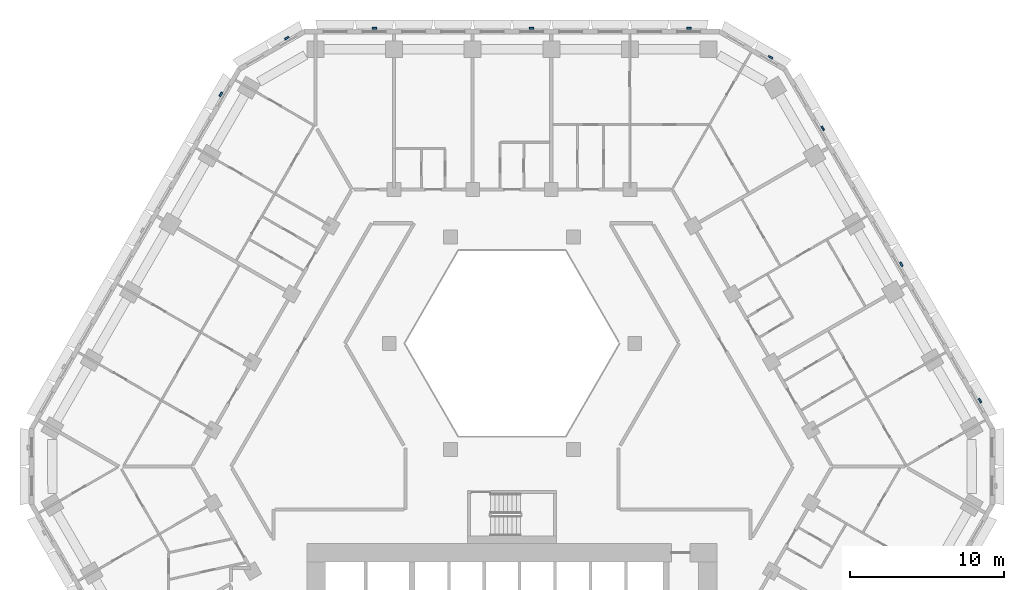
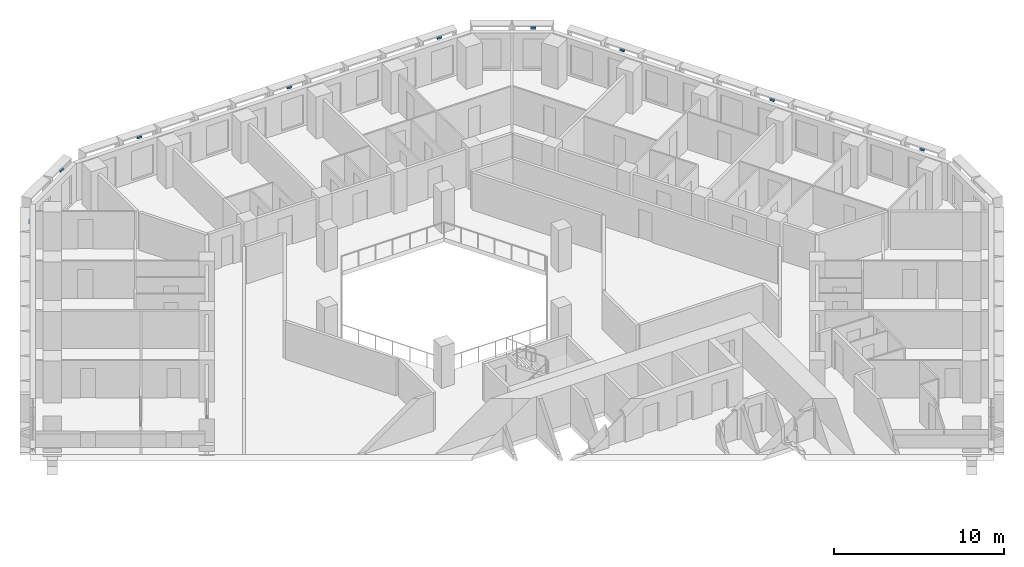
# One storey, part 15 of 21: 9 discrete accessories.
"""IFC4 building model written with IfcOpenShell, lengths in metres."""

from ifc_helpers import new_model, si_unit, direction, frame, origin, place, context, subcontext, project, spatial, polyline, outline, extrude, source, transform, mapped, material, type_object, type_shapes, element, save


model = new_model("IFC4")

# Units and contexts
model_context = context("Model", 3, precision=1e-05, world=origin(), true_north=direction((0.0, 1.0)))
body_context = subcontext(model_context, "Body", "Model", "MODEL_VIEW")
ifc_project = project(units=[si_unit("LENGTHUNIT", "METRE"), si_unit("AREAUNIT", "SQUARE_METRE"), si_unit("VOLUMEUNIT", "CUBIC_METRE"), si_unit("PLANEANGLEUNIT", "RADIAN"), si_unit("MASSUNIT", "GRAM", prefix="KILO")], contexts=[model_context])

# Site, building, storey
site_placement = place(None, origin())
site = spatial("IfcSite", under=ifc_project, at=site_placement, CompositionType="ELEMENT")
building_placement = place(site_placement, origin())
building = spatial("IfcBuilding", under=site, at=building_placement, Name="Beryl Residences", CompositionType="ELEMENT")
storey_placement = place(building_placement, frame((0.0, 0.0, 29.39990234375)))
storey = spatial("IfcBuildingStorey", under=building, at=storey_placement, Name="L08", CompositionType="ELEMENT", Elevation=29.39990234375)

# Discrete accessories
ifc_material = material(Name="Steel S355", Category="steel")
discrete_accessory_type = type_object("IfcDiscreteAccessoryType", Name="BR1 frame bracket 300 x 120 x 150 mm", PredefinedType="BRACKET", material=ifc_material)
shared_shape = source(origin(), body_context, "Body", "SweptSolid", [
    extrude(outline(polyline([(-0.14990234375, 0.0), (0.14990234375, 0.0), (0.14990234375, 0.1201171875), (-0.14990234375, 0.1201171875), (-0.14990234375, 0.0)])), origin(), (0.0, 0.0, 1.0), 0.14990234375),
])
type_shapes(discrete_accessory_type, [shared_shape])
for number, where, z_axis, x_axis, name in (
    (1, (11.48291015625, 28.39990234375, 2.75), (0.0, 0.0, 1.0), (1.0, 0.0, 0.0), "BR1 bracket L08 N 1"),
    (2, (1.27490234375, 28.39990234375, 2.75), (0.0, 0.0, 1.0), (1.0, 0.0, 0.0), "BR1 bracket L08 N 5"),
    (3, (-8.93310546875, 28.39990234375, 2.75), (0.0, 0.0, 1.0), (1.0, 0.0, 0.0), "BR1 bracket L08 N 9"),
    (4, (-14.593017578125, 27.77490234375, 2.75), (0.0, 0.0, 1.0), (0.866025403784, 0.5, 0.0), "BR1 bracket L08 N-NW 1"),
    (5, (-18.85400390625, 24.14501953125, 2.75), (0.0, 0.0, 1.0), (0.5, 0.866025403784, 0.0), "BR1 bracket L08 NW 1"),
    (6, (30.3359375, 4.2548828125, 2.75), (0.0, 0.0, 1.0), (0.5, -0.866025403784, 0.0), "BR1 bracket L08 NE 1"),
    (7, (25.23193359375, 13.095947265625, 2.75), (0.0, 0.0, 1.0), (0.5, -0.866025403784, 0.0), "BR1 bracket L08 NE 5"),
    (8, (20.12890625, 21.93603515625, 2.75), (0.0, 0.0, 1.0), (0.5, -0.866025403784, 0.0), "BR1 bracket L08 NE 9"),
    (9, (16.758056640625, 26.52490234375, 2.75), (0.0, 0.0, 1.0), (0.866025403784, -0.5, 0.0), "BR1 bracket L08 NE-N 1"),
):
    element("IfcDiscreteAccessory", number, at=place(storey_placement, frame(where, z_axis=z_axis, x_axis=x_axis)), inside=storey, type_object=discrete_accessory_type, Name=name, PredefinedType="BRACKET", context=body_context, shape_type="MappedRepresentation", body=[
        mapped(shared_shape, transform((0.0, 0.0, 0.0))),
    ])

save(model, "model.ifc")
